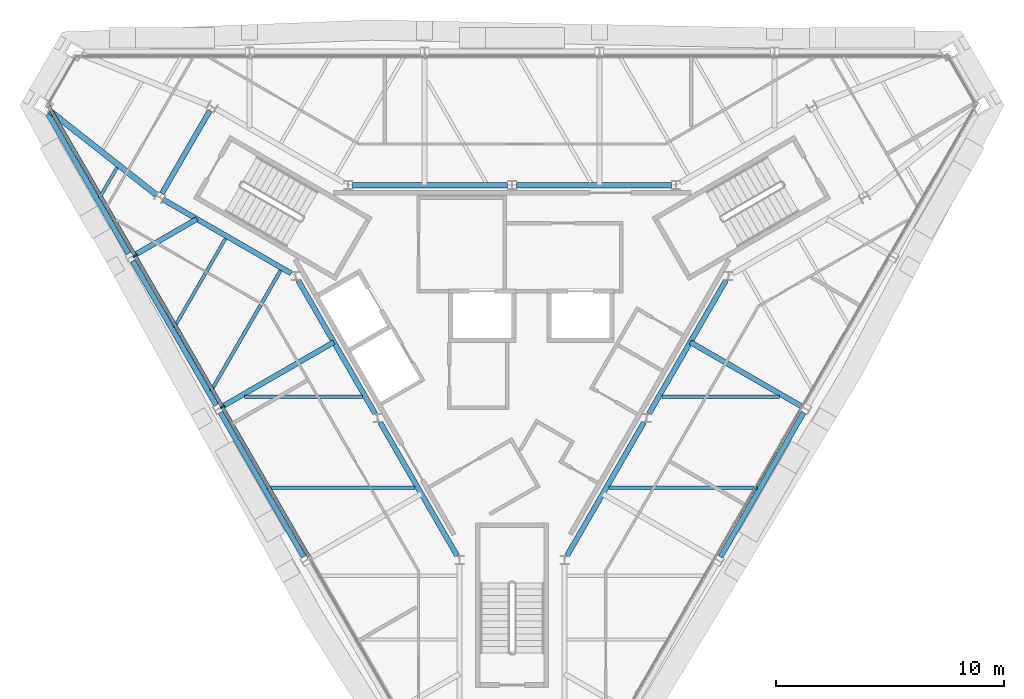
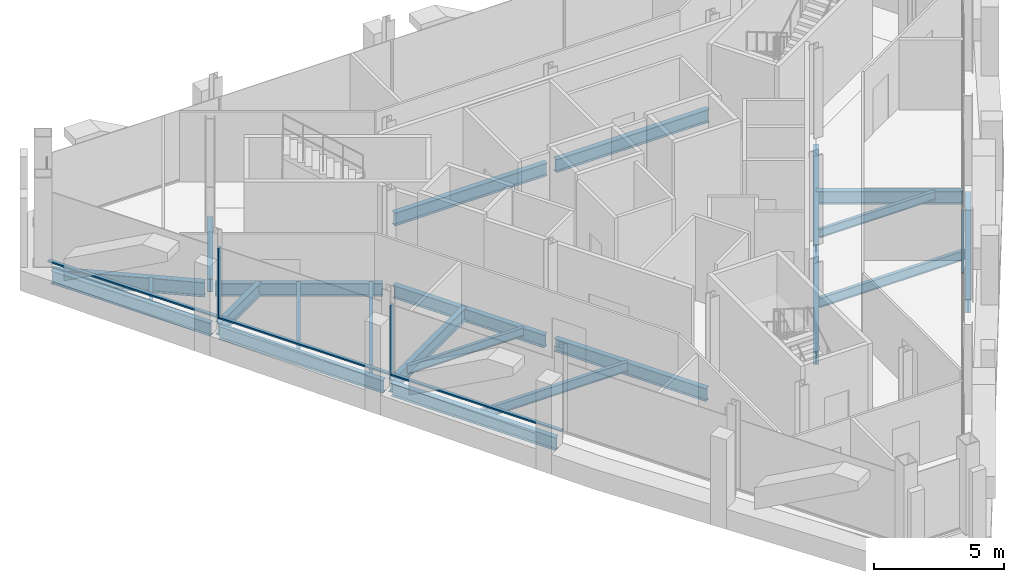
# One storey, part 4 of 13: 23 beams, 6 members, 2 elements without a shape of their own.
"""IFC4 building model written with IfcOpenShell, lengths in metres."""

from ifc_helpers import new_model, si_unit, direction, frame, origin, origin_2d, place, context, subcontext, project, spatial, rectangle, i_section, extrude, material, material_profile, profile_set, type_object, element, aggregate, save


model = new_model("IFC4")

# Units and contexts
model_context = context("Model", 3, precision=1e-05, world=origin(), true_north=direction((0.0, 1.0)))
body_context = subcontext(model_context, "Body", "Model", "MODEL_VIEW")
ifc_project = project(units=[si_unit("LENGTHUNIT", "METRE"), si_unit("AREAUNIT", "SQUARE_METRE"), si_unit("VOLUMEUNIT", "CUBIC_METRE"), si_unit("PLANEANGLEUNIT", "RADIAN"), si_unit("MASSUNIT", "GRAM", prefix="KILO")], contexts=[model_context])

# Site, building, storey
site_placement = place(None, origin())
site = spatial("IfcSite", under=ifc_project, at=site_placement, CompositionType="ELEMENT")
building_placement = place(site_placement, origin())
building = spatial("IfcBuilding", under=site, at=building_placement, Name="Verrane Prism Tower", CompositionType="ELEMENT")
storey_placement = place(building_placement, frame((0.0, 0.0, 316.800048828125)))
storey = spatial("IfcBuildingStorey", under=building, at=storey_placement, Name="L80", CompositionType="ELEMENT", Elevation=316.800048828125)

# Beams
ifc_material_1 = material(Name="Steel A992", Category="steel")
ifc_material_profile_1 = material_profile(ifc_material_1, i_section(OverallWidth=0.228271484375, OverallDepth=0.607177734375, WebThickness=0.01123046875, FlangeThickness=0.017333984375, FilletRadius=0.0126953125, at=origin_2d()), Name="W24x76")
ifc_profile_set_1 = profile_set([ifc_material_profile_1], Name="Steel A992")
beam_type_1 = type_object("IfcBeamType", Name="Core ring girder W24x76", PredefinedType="BEAM", material=ifc_profile_set_1)
for number, where, z_axis, x_axis, name in (
    (1, (6.980712890625, 6.800048828125, -0.553466796875), (-1.0, 0.0, 0.0), (0.0, -1.0, 0.0), "Core ring girder L80"),
    (2, (-0.199462890625, 6.800048828125, -0.553466796875), (-1.0, 0.0, 0.0), (0.0, -1.0, 0.0), "Core ring girder L80"),
):
    element("IfcBeam", number, at=place(storey_placement, frame(where, z_axis=z_axis, x_axis=x_axis)), inside=storey, type_object=beam_type_1, Name=name, PredefinedType="BEAM", context=body_context, shape_type="SweptSolid", body=[
        extrude(i_section(OverallWidth=0.228271484375, OverallDepth=0.607177734375, WebThickness=0.01123046875, FlangeThickness=0.017333984375, FilletRadius=0.0126953125, at=origin_2d()), origin(), (0.0, 0.0, 1.0), 6.78125),
    ])
beam_1_placement = place(storey_placement, frame((-13.23974609375, 10.0673828125, -0.553466796875), z_axis=(-0.500323136493, -0.865838760445, 0.0), x_axis=(0.865838760445, -0.500323136493, 0.0)))
element("IfcBeam", 3, at=beam_1_placement, inside=storey, type_object=beam_type_1, Name="Core ring girder L80", PredefinedType="BEAM", context=body_context, shape_type="SweptSolid", body=[
    extrude(i_section(OverallWidth=0.228271484375, OverallDepth=0.607177734375, WebThickness=0.01123046875, FlangeThickness=0.017333984375, FilletRadius=0.0126953125, at=origin_2d()), origin(), (0.0, 0.0, 1.0), 4.197998046875),
])
beam_2_placement = place(storey_placement, frame((-15.272705078125, 6.16357421875, -0.553466796875), z_axis=(0.866076057046, -0.499912255713, 0.0), x_axis=(0.499912255713, 0.866076057046, 0.0)))
element("IfcBeam", 4, at=beam_2_placement, inside=storey, type_object=beam_type_1, Name="Core ring girder L80", PredefinedType="BEAM", context=body_context, shape_type="SweptSolid", body=[
    extrude(i_section(OverallWidth=0.228271484375, OverallDepth=0.607177734375, WebThickness=0.01123046875, FlangeThickness=0.017333984375, FilletRadius=0.0126953125, at=origin_2d()), origin(), (0.0, 0.0, 1.0), 6.458251953125),
])
for number, where, z_axis, x_axis, name in (
    (5, (-9.36865234375, 2.626953125, -0.553466796875), (0.499881421193, -0.866093854468, 0.0), (0.866093854468, 0.499881421193, 0.0), "Core ring girder L80"),
    (6, (-5.778564453125, -3.593017578125, -0.553466796875), (0.499881421193, -0.866093854468, 0.0), (0.866093854468, 0.499881421193, 0.0), "Core ring girder L80"),
    (7, (2.411376953125, -9.427001953125, -0.553466796875), (0.499881421193, 0.866093854468, 0.0), (-0.866093854468, 0.499881421193, 0.0), "Core ring girder L80"),
    (8, (6.00146484375, -3.20703125, -0.553466796875), (0.499881421193, 0.866093854468, 0.0), (-0.866093854468, 0.499881421193, 0.0), "Core ring girder L80"),
):
    element("IfcBeam", number, at=place(storey_placement, frame(where, z_axis=z_axis, x_axis=x_axis)), inside=storey, type_object=beam_type_1, Name=name, PredefinedType="BEAM", context=body_context, shape_type="SweptSolid", body=[
        extrude(i_section(OverallWidth=0.228271484375, OverallDepth=0.607177734375, WebThickness=0.01123046875, FlangeThickness=0.017333984375, FilletRadius=0.0126953125, at=origin_2d()), origin(), (0.0, 0.0, 1.0), 6.736083984375),
    ])
ifc_material_2 = material(Name="Steel A992", Category="steel")
ifc_material_profile_2 = material_profile(ifc_material_2, i_section(OverallWidth=0.25390625, OverallDepth=0.683349609375, WebThickness=0.012451171875, FlangeThickness=0.01904296875, FilletRadius=0.01513671875, at=origin_2d()), Name="W27x94")
ifc_profile_set_2 = profile_set([ifc_material_profile_2], Name="Steel A992")
beam_type_2 = type_object("IfcBeamType", Name="Corner girder W27x94", PredefinedType="BEAM", material=ifc_profile_set_2)
beam_3_placement = place(storey_placement, frame((-20.26220703125, 10.06103515625, -0.561767578125), z_axis=(0.785339810319, -0.619064925777, 0.0), x_axis=(0.619064925777, 0.785339810319, 0.0)))
element("IfcBeam", 9, at=beam_3_placement, inside=storey, type_object=beam_type_2, Name="Corner girder L80", PredefinedType="BEAM", context=body_context, shape_type="SweptSolid", body=[
    extrude(i_section(OverallWidth=0.25390625, OverallDepth=0.683349609375, WebThickness=0.012451171875, FlangeThickness=0.01904296875, FilletRadius=0.01513671875, at=origin_2d()), origin(), (0.0, 0.0, 1.0), 5.945068359375),
])
ifc_material_3 = material(Name="Steel A992", Category="steel")
ifc_material_profile_3 = material_profile(ifc_material_3, i_section(OverallWidth=0.140380859375, OverallDepth=0.40380859375, WebThickness=0.007080078125, FlangeThickness=0.01123046875, FilletRadius=0.01025390625, at=origin_2d()), Name="W16x31")
ifc_profile_set_3 = profile_set([ifc_material_profile_3], Name="Steel A992")
beam_type_3 = type_object("IfcBeamType", Name="Floor beam W16x31", PredefinedType="BEAM", material=ifc_profile_set_3)
beam_4_placement = place(storey_placement, frame((-18.076904296875, 6.23779296875, -0.362060546875), z_axis=(0.499978844458, 0.866037617598, 0.0), x_axis=(-0.866037617598, 0.499978844458, 0.0)))
element("IfcBeam", 10, at=beam_4_placement, inside=storey, type_object=beam_type_3, Name="Floor beam L80", PredefinedType="BEAM", context=body_context, shape_type="SweptSolid", body=[
    extrude(i_section(OverallWidth=0.140380859375, OverallDepth=0.40380859375, WebThickness=0.007080078125, FlangeThickness=0.01123046875, FilletRadius=0.01025390625, at=origin_2d()), origin(), (0.0, 0.0, 1.0), 1.53857421875),
])
beam_5_placement = place(storey_placement, frame((-14.801513671875, 0.5673828125, -0.362060546875), z_axis=(0.500038829804, 0.866002984226, 0.0), x_axis=(-0.866002984226, 0.500038829804, 0.0)))
element("IfcBeam", 11, at=beam_5_placement, inside=storey, type_object=beam_type_3, Name="Floor beam L80", PredefinedType="BEAM", context=body_context, shape_type="SweptSolid", body=[
    extrude(i_section(OverallWidth=0.140380859375, OverallDepth=0.40380859375, WebThickness=0.007080078125, FlangeThickness=0.01123046875, FilletRadius=0.01025390625, at=origin_2d()), origin(), (0.0, 0.0, 1.0), 4.497802734375),
])
for number, where, z_axis, x_axis, name in (
    (12, (-11.7236328125, -2.469970703125, -0.362060546875), (1.0, 0.0, 0.0), (0.0, 1.0, 0.0), "Floor beam L80"),
    (13, (6.5595703125, -2.469970703125, -0.362060546875), (1.0, 0.0, 0.0), (0.0, 1.0, 0.0), "Floor beam L80"),
):
    element("IfcBeam", number, at=place(storey_placement, frame(where, z_axis=z_axis, x_axis=x_axis)), inside=storey, type_object=beam_type_3, Name=name, PredefinedType="BEAM", context=body_context, shape_type="SweptSolid", body=[
        extrude(i_section(OverallWidth=0.140380859375, OverallDepth=0.40380859375, WebThickness=0.007080078125, FlangeThickness=0.01123046875, FilletRadius=0.01025390625, at=origin_2d()), origin(), (0.0, 0.0, 1.0), 5.1640625),
    ])
ifc_material_4 = material(Name="Steel A992", Category="steel")
ifc_material_profile_4 = material_profile(ifc_material_4, i_section(OverallWidth=0.15234375, OverallDepth=0.449462890625, WebThickness=0.007568359375, FlangeThickness=0.0107421875, FilletRadius=0.01025390625, at=origin_2d()), Name="W18x35")
ifc_profile_set_4 = profile_set([ifc_material_profile_4], Name="Steel A992")
beam_type_4 = type_object("IfcBeamType", Name="Floor beam W18x35", PredefinedType="BEAM", material=ifc_profile_set_4)
beam_6_placement = place(storey_placement, frame((-13.189697265625, -2.219482421875, -0.384765625), z_axis=(0.499979762145, 0.8660370878, 0.0), x_axis=(-0.8660370878, 0.499979762145, 0.0)))
element("IfcBeam", 14, at=beam_6_placement, inside=storey, type_object=beam_type_4, Name="Floor beam L80", PredefinedType="BEAM", context=body_context, shape_type="SweptSolid", body=[
    extrude(i_section(OverallWidth=0.15234375, OverallDepth=0.449462890625, WebThickness=0.007568359375, FlangeThickness=0.0107421875, FilletRadius=0.01025390625, at=origin_2d()), origin(), (0.0, 0.0, 1.0), 6.105224609375),
])
for number, where, z_axis, x_axis, name in (
    (15, (-10.74560546875, -6.4599609375, -0.384765625), (1.0, 0.0, 0.0), (0.0, 1.0, 0.0), "Floor beam L80"),
    (16, (4.251953125, -6.4599609375, -0.384765625), (1.0, 0.0, 0.0), (0.0, 1.0, 0.0), "Floor beam L80"),
):
    element("IfcBeam", number, at=place(storey_placement, frame(where, z_axis=z_axis, x_axis=x_axis)), inside=storey, type_object=beam_type_4, Name=name, PredefinedType="BEAM", context=body_context, shape_type="SweptSolid", body=[
        extrude(i_section(OverallWidth=0.15234375, OverallDepth=0.449462890625, WebThickness=0.007568359375, FlangeThickness=0.0107421875, FilletRadius=0.01025390625, at=origin_2d()), origin(), (0.0, 0.0, 1.0), 6.49365234375),
    ])

# Curtain wall, members
ifc_material_5 = material(Name="Aluminium framed insulated glazing", Category="aluminium")
curtain_wall_type_1 = type_object("IfcCurtainWallType", Name="Curtain wall CW-A 8400 module", PredefinedType="NOTDEFINED", material=ifc_material_5)
curtain_wall_1_placement = place(storey_placement, origin())
curtain_wall_1 = element("IfcCurtainWall", 17, at=curtain_wall_1_placement, inside=storey, type_object=curtain_wall_type_1, Name="Glazed curtain wall south-west face L80", PredefinedType="NOTDEFINED")
ifc_material_6 = material(Name="Aluminium alloy 6063-T6", Category="aluminium")
ifc_material_profile_5 = material_profile(ifc_material_6, rectangle(XDim=0.199951171875, YDim=0.070068359375, at=origin_2d()), Name="Mullion 70x200 aluminium")
ifc_profile_set_5 = profile_set([ifc_material_profile_5], Name="Aluminium alloy 6063-T6")
member_type_1 = type_object("IfcMemberType", Name="Mullion 70x200 aluminium", PredefinedType="MULLION", material=ifc_profile_set_5)
member_1_placement = place(storey_placement, frame((-16.513916015625, 3.708251953125, 0.0), z_axis=(0.0, 0.0, 1.0), x_axis=(0.866025278644, 0.500000216749, 0.0)))
member_1 = element("IfcMember", 18, at=member_1_placement, type_object=member_type_1, Name="CW80.4 mullion 2", PredefinedType="MULLION", context=body_context, shape_type="SweptSolid", body=[
    extrude(rectangle(XDim=0.199951171875, YDim=0.070068359375, at=origin_2d()), origin(), (0.0, 0.0, 1.0), 3.296630859375),
])
member_2_placement = place(storey_placement, frame((-12.69091796875, -2.912841796875, 0.0), z_axis=(0.0, 0.0, 1.0), x_axis=(0.866025278644, 0.500000216749, 0.0)))
member_2 = element("IfcMember", 19, at=member_2_placement, type_object=member_type_1, Name="CW80.4 mullion 3", PredefinedType="MULLION", context=body_context, shape_type="SweptSolid", body=[
    extrude(rectangle(XDim=0.199951171875, YDim=0.070068359375, at=origin_2d()), origin(), (0.0, 0.0, 1.0), 3.296630859375),
])

# Beams
ifc_material_7 = material(Name="Steel A992", Category="steel")
ifc_material_profile_6 = material_profile(ifc_material_7, i_section(OverallWidth=0.228271484375, OverallDepth=0.607177734375, WebThickness=0.01123046875, FlangeThickness=0.017333984375, FilletRadius=0.0126953125, at=origin_2d()), Name="W24x76")
ifc_profile_set_6 = profile_set([ifc_material_profile_6], Name="Steel A992")
beam_type_5 = type_object("IfcBeamType", Name="Radial girder W24x76", PredefinedType="BEAM", material=ifc_profile_set_6)
beam_7_placement = place(storey_placement, frame((-16.550537109375, 3.732177734375, -0.5234375), z_axis=(0.866011117715, 0.500024743381, 0.0), x_axis=(-0.500024743381, 0.866011117715, 0.0)))
element("IfcBeam", 20, at=beam_7_placement, inside=storey, type_object=beam_type_5, Name="Radial girder L80", PredefinedType="BEAM", context=body_context, shape_type="SweptSolid", body=[
    extrude(i_section(OverallWidth=0.228271484375, OverallDepth=0.607177734375, WebThickness=0.01123046875, FlangeThickness=0.017333984375, FilletRadius=0.0126953125, at=origin_2d()), origin(), (0.0, 0.0, 1.0), 3.169189453125),
])
for number, where, z_axis, x_axis, name in (
    (21, (-12.71044921875, -2.907958984375, -0.5234375), (0.866021122779, 0.500007414845, 0.0), (-0.500007414845, 0.866021122779, 0.0), "Radial girder L80"),
    (22, (12.71044921875, -2.907958984375, -0.5234375), (-0.866021122779, 0.500007414845, 0.0), (-0.500007414845, -0.866021122779, 0.0), "Radial girder L80"),
):
    element("IfcBeam", number, at=place(storey_placement, frame(where, z_axis=z_axis, x_axis=x_axis)), inside=storey, type_object=beam_type_5, Name=name, PredefinedType="BEAM", context=body_context, shape_type="SweptSolid", body=[
        extrude(i_section(OverallWidth=0.228271484375, OverallDepth=0.607177734375, WebThickness=0.01123046875, FlangeThickness=0.017333984375, FilletRadius=0.0126953125, at=origin_2d()), origin(), (0.0, 0.0, 1.0), 5.6611328125),
    ])
ifc_material_8 = material(Name="Steel A992", Category="steel")
ifc_material_profile_7 = material_profile(ifc_material_8, i_section(OverallWidth=0.228271484375, OverallDepth=0.607177734375, WebThickness=0.01123046875, FlangeThickness=0.017333984375, FilletRadius=0.0126953125, at=origin_2d()), Name="W24x76")
ifc_profile_set_7 = profile_set([ifc_material_profile_7], Name="Steel A992")
beam_type_6 = type_object("IfcBeamType", Name="Spandrel beam W24x76", PredefinedType="SPANDREL", material=ifc_profile_set_7)
beam_8_placement = place(storey_placement, frame((-20.337890625, 9.9296875, -0.463623046875), z_axis=(0.499650748497, -0.866226950358, 0.0), x_axis=(0.866226950358, 0.499650748497, 0.0)))
element("IfcBeam", 23, at=beam_8_placement, inside=storey, type_object=beam_type_6, Name="Spandrel beam L80", PredefinedType="SPANDREL", context=body_context, shape_type="SweptSolid", body=[
    extrude(i_section(OverallWidth=0.228271484375, OverallDepth=0.607177734375, WebThickness=0.01123046875, FlangeThickness=0.017333984375, FilletRadius=0.0126953125, at=origin_2d()), origin(), (0.0, 0.0, 1.0), 7.07421875),
])
beam_9_placement = place(storey_placement, frame((-16.616455078125, 3.478515625, -0.463623046875), z_axis=(0.50061813753, -0.865668227658, 0.0), x_axis=(0.865668227658, 0.50061813753, 0.0)))
element("IfcBeam", 24, at=beam_9_placement, inside=storey, type_object=beam_type_6, Name="Spandrel beam L80", PredefinedType="SPANDREL", context=body_context, shape_type="SweptSolid", body=[
    extrude(i_section(OverallWidth=0.228271484375, OverallDepth=0.607177734375, WebThickness=0.01123046875, FlangeThickness=0.017333984375, FilletRadius=0.0126953125, at=origin_2d()), origin(), (0.0, 0.0, 1.0), 7.297119140625),
])
for number, where, z_axis, x_axis, name in (
    (25, (-12.77685546875, -3.161865234375, -0.463623046875), (0.499074796412, -0.866558911781, 0.0), (0.866558911781, 0.499074796412, 0.0), "Spandrel beam L80"),
    (26, (9.13330078125, -9.48828125, -0.463623046875), (0.499074796412, 0.866558911781, 0.0), (-0.866558911781, 0.499074796412, 0.0), "Spandrel beam L80"),
):
    element("IfcBeam", number, at=place(storey_placement, frame(where, z_axis=z_axis, x_axis=x_axis)), inside=storey, type_object=beam_type_6, Name=name, PredefinedType="SPANDREL", context=body_context, shape_type="SweptSolid", body=[
        extrude(i_section(OverallWidth=0.228271484375, OverallDepth=0.607177734375, WebThickness=0.01123046875, FlangeThickness=0.017333984375, FilletRadius=0.0126953125, at=origin_2d()), origin(), (0.0, 0.0, 1.0), 7.300537109375),
    ])

# Curtain wall, member
ifc_material_9 = material(Name="Aluminium framed insulated glazing", Category="aluminium")
curtain_wall_type_2 = type_object("IfcCurtainWallType", Name="Curtain wall CW-C 4200 module", PredefinedType="NOTDEFINED", material=ifc_material_9)
curtain_wall_2_placement = place(storey_placement, origin())
curtain_wall_2 = element("IfcCurtainWall", 27, at=curtain_wall_2_placement, inside=storey, type_object=curtain_wall_type_2, Name="Glazed curtain wall south-east face L80", PredefinedType="NOTDEFINED")
ifc_material_10 = material(Name="Aluminium alloy 6063-T6", Category="aluminium")
ifc_material_profile_8 = material_profile(ifc_material_10, rectangle(XDim=0.10009765625, YDim=0.050048828125, at=origin_2d()), Name="Transom 50x100 aluminium")
ifc_profile_set_8 = profile_set([ifc_material_profile_8], Name="Aluminium alloy 6063-T6")
member_type_2 = type_object("IfcMemberType", Name="Transom 50x100 aluminium", PredefinedType="USERDEFINED", material=ifc_profile_set_8)
member_3_placement = place(storey_placement, frame((9.730224609375, -8.041259765625, 0.02490234375), z_axis=(0.500011101102, 0.866018994465, 0.0), x_axis=(-0.866018994465, 0.500011101102, 0.0)))
member_3 = element("IfcMember", 28, at=member_3_placement, type_object=member_type_2, Name="CW80.6 transom 5", ObjectType="TRANSOM", PredefinedType="USERDEFINED", context=body_context, shape_type="SweptSolid", body=[
    extrude(rectangle(XDim=0.10009765625, YDim=0.050048828125, at=origin_2d()), origin(), (0.0, 0.0, 1.0), 4.19775390625),
])
aggregate(curtain_wall_2, [member_3])

# Member
ifc_material_11 = material(Name="Aluminium alloy 6063-T6", Category="aluminium")
ifc_material_profile_9 = material_profile(ifc_material_11, rectangle(XDim=0.14990234375, YDim=0.070068359375, at=origin_2d()), Name="Transom 70x150 aluminium")
ifc_profile_set_9 = profile_set([ifc_material_profile_9], Name="Aluminium alloy 6063-T6")
member_type_3 = type_object("IfcMemberType", Name="Transom 70x150 aluminium", PredefinedType="USERDEFINED", material=ifc_profile_set_9)
member_4_placement = place(storey_placement, frame((-20.301513671875, 10.26904296875, 0.034912109375), z_axis=(0.499986830474, -0.86603300708, 0.0), x_axis=(0.86603300708, 0.499986830474, 0.0)))
member_4 = element("IfcMember", 29, at=member_4_placement, type_object=member_type_3, Name="CW80.4 transom 1", ObjectType="TRANSOM", PredefinedType="USERDEFINED", context=body_context, shape_type="SweptSolid", body=[
    extrude(rectangle(XDim=0.14990234375, YDim=0.070068359375, at=origin_2d()), origin(), (0.0, 0.0, 1.0), 7.540771484375),
])

member_5_placement = place(storey_placement, frame((-16.496337890625, 3.677978515625, 0.034912109375), z_axis=(0.50001072126, -0.866019213774, 0.0), x_axis=(0.866019213774, 0.50001072126, 0.0)))
member_5 = element("IfcMember", 30, at=member_5_placement, type_object=member_type_3, Name="CW80.4 transom 2", ObjectType="TRANSOM", PredefinedType="USERDEFINED", context=body_context, shape_type="SweptSolid", body=[
    extrude(rectangle(XDim=0.14990234375, YDim=0.070068359375, at=origin_2d()), origin(), (0.0, 0.0, 1.0), 7.575439453125),
])

member_6_placement = place(storey_placement, frame((-12.673583984375, -2.943359375, 0.034912109375), z_axis=(0.50001072126, -0.866019213774, 0.0), x_axis=(0.866019213774, 0.50001072126, 0.0)))
member_6 = element("IfcMember", 31, at=member_6_placement, type_object=member_type_3, Name="CW80.4 transom 3", ObjectType="TRANSOM", PredefinedType="USERDEFINED", context=body_context, shape_type="SweptSolid", body=[
    extrude(rectangle(XDim=0.14990234375, YDim=0.070068359375, at=origin_2d()), origin(), (0.0, 0.0, 1.0), 7.575439453125),
])

aggregate(curtain_wall_1, [member_1, member_2, member_4, member_5, member_6])

save(model, "model.ifc")
